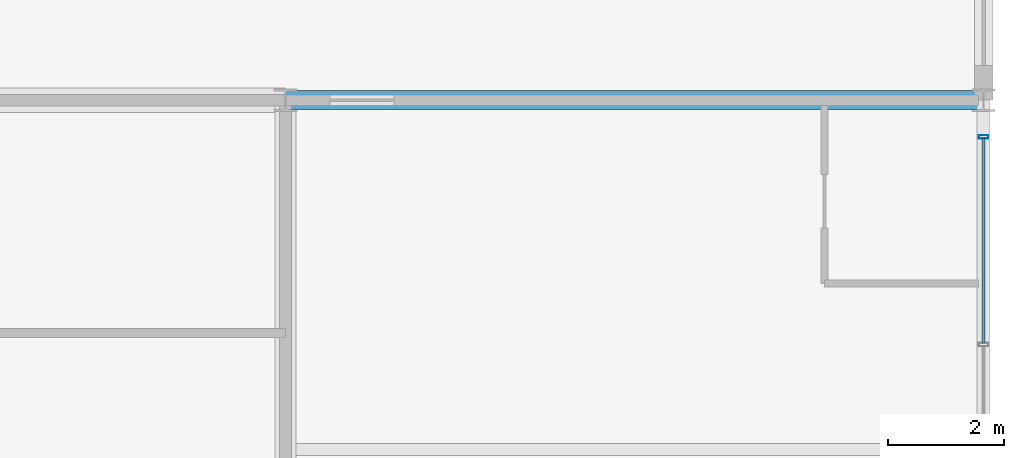
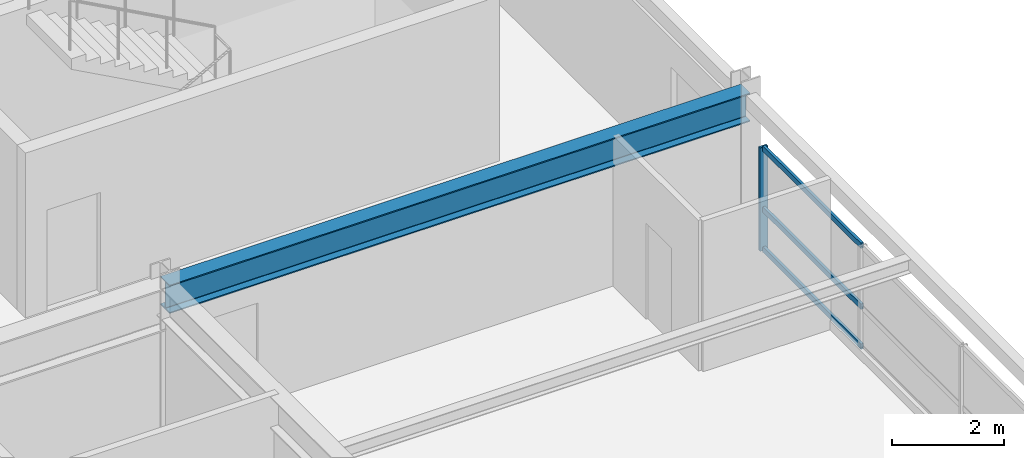
# One storey, part 11 of 22: 4 members, 1 beam, 1 element without a shape of its own.
"""IFC4 building model written with IfcOpenShell, lengths in metres."""

from ifc_helpers import new_model, si_unit, direction, frame, origin, origin_2d, place, context, subcontext, project, spatial, hollow_rectangle, i_section, extrude, material, material_profile, profile_set, type_object, element, aggregate, save


model = new_model("IFC4")

# Units and contexts
model_context = context("Model", 3, precision=1e-05, world=origin(), true_north=direction((0.0, 1.0)))
body_context = subcontext(model_context, "Body", "Model", "MODEL_VIEW")
ifc_project = project(units=[si_unit("LENGTHUNIT", "METRE"), si_unit("AREAUNIT", "SQUARE_METRE"), si_unit("VOLUMEUNIT", "CUBIC_METRE"), si_unit("PLANEANGLEUNIT", "RADIAN"), si_unit("MASSUNIT", "GRAM", prefix="KILO")], contexts=[model_context])

# Site, building, storey
site_placement = place(None, origin())
site = spatial("IfcSite", under=ifc_project, at=site_placement, CompositionType="ELEMENT")
building_placement = place(site_placement, origin())
building = spatial("IfcBuilding", under=site, at=building_placement, Name="Kaldorvane Square Convention Centre", CompositionType="ELEMENT")
storey_placement = place(building_placement, frame((0.0, 0.0, 63.600006103515625)))
storey = spatial("IfcBuildingStorey", under=building, at=storey_placement, Name="L15", CompositionType="ELEMENT", Elevation=63.600006103515625)

# Beam
ifc_material_1 = material(Name="Steel ASTM A992 Gr. 50", Category="steel")
ifc_material_profile_1 = material_profile(ifc_material_1, i_section(OverallWidth=0.326507568359375, OverallDepth=0.621795654296875, WebThickness=0.0153961181640625, FlangeThickness=0.0243988037109375, FilletRadius=0.0126953125, at=origin_2d()), Name="W24X131")
ifc_profile_set_1 = profile_set([ifc_material_profile_1], Name="Steel ASTM A992 Gr. 50")
beam_type = type_object("IfcBeamType", Name="BM-GR-W24X131", PredefinedType="BEAM", material=ifc_profile_set_1)
beam_placement = place(storey_placement, frame((66.0, 96.0, 2.97509765625), z_axis=(1.0, 0.0, 0.0), x_axis=(0.0, 1.0, 0.0)))
element("IfcBeam", 1, at=beam_placement, inside=storey, type_object=beam_type, Name="Primary Girder (L15)", PredefinedType="BEAM", context=body_context, shape_type="SweptSolid", body=[
    extrude(i_section(OverallWidth=0.326507568359375, OverallDepth=0.621795654296875, WebThickness=0.0153961181640625, FlangeThickness=0.0243988037109375, FilletRadius=0.0126953125, at=origin_2d()), origin(), (0.0, 0.0, 1.0), 12.0),
])

# Curtain wall, members
ifc_material_2 = material(Name="Anodized Aluminum and Low-E Insulated Glazing", Category="aluminium")
curtain_wall_type = type_object("IfcCurtainWallType", Name="CW-UNI-HTL-A", PredefinedType="USERDEFINED", material=ifc_material_2)
curtain_wall_placement = place(storey_placement, origin())
curtain_wall = element("IfcCurtainWall", 2, at=curtain_wall_placement, inside=storey, type_object=curtain_wall_type, Name="Curtain Wall CW-10 (L15)", ObjectType="UNITISED GLAZING", PredefinedType="USERDEFINED")
ifc_material_profile_2 = material_profile(ifc_material_2, hollow_rectangle(XDim=0.05999755859375, YDim=0.160003662109375, WallThickness=0.003204345703125, at=origin_2d()), Name="CWM-160X60")
ifc_profile_set_2 = profile_set([ifc_material_profile_2], Name="Anodized Aluminum and Low-E Insulated Glazing")
member_type_1 = type_object("IfcMemberType", Name="CW-MUL-160", PredefinedType="MULLION", material=ifc_profile_set_2)
member_1_placement = place(storey_placement, frame((78.0, 95.3699951171875, 0.149993896484375), z_axis=(0.0, 0.0, 1.0), x_axis=(0.0, 1.0, 0.0)))
member_1 = element("IfcMember", 3, at=member_1_placement, type_object=member_type_1, Name="CW-10 mullion 4", PredefinedType="MULLION", context=body_context, shape_type="SweptSolid", body=[
    extrude(hollow_rectangle(XDim=0.05999755859375, YDim=0.160003662109375, WallThickness=0.003204345703125, at=origin_2d()), origin(), (0.0, 0.0, 1.0), 2.2599945068359375),
])
ifc_material_profile_3 = material_profile(ifc_material_2, hollow_rectangle(XDim=0.05499267578125, YDim=0.1199951171875, WallThickness=0.0030059814453125, at=origin_2d()), Name="CWT-120X55")
ifc_profile_set_3 = profile_set([ifc_material_profile_3], Name="Anodized Aluminum and Low-E Insulated Glazing")
member_type_2 = type_object("IfcMemberType", Name="CW-TRN-120", PredefinedType="USERDEFINED", material=ifc_profile_set_3)
member_2_placement = place(storey_placement, frame((78.0, 91.83000183105469, 0.177490234375), z_axis=(0.0, 1.0, 0.0), x_axis=(-1.0, 0.0, 0.0)))
member_2 = element("IfcMember", 4, at=member_2_placement, type_object=member_type_2, Name="CW-10 transom 3.1", ObjectType="TRANSOM", PredefinedType="USERDEFINED", context=body_context, shape_type="SweptSolid", body=[
    extrude(hollow_rectangle(XDim=0.05499267578125, YDim=0.1199951171875, WallThickness=0.0030059814453125, at=origin_2d()), origin(), (0.0, 0.0, 1.0), 3.5099945068359375),
])
member_3_placement = place(storey_placement, frame((78.0, 91.83000183105469, 1.04998779296875), z_axis=(0.0, 1.0, 0.0), x_axis=(-1.0, 0.0, 0.0)))
member_3 = element("IfcMember", 5, at=member_3_placement, type_object=member_type_2, Name="CW-10 transom 3.2", ObjectType="TRANSOM", PredefinedType="USERDEFINED", context=body_context, shape_type="SweptSolid", body=[
    extrude(hollow_rectangle(XDim=0.05499267578125, YDim=0.1199951171875, WallThickness=0.0030059814453125, at=origin_2d()), origin(), (0.0, 0.0, 1.0), 3.5099945068359375),
])
member_4_placement = place(storey_placement, frame((78.0, 91.83000183105469, 2.3824920654296875), z_axis=(0.0, 1.0, 0.0), x_axis=(-1.0, 0.0, 0.0)))
member_4 = element("IfcMember", 6, at=member_4_placement, type_object=member_type_2, Name="CW-10 transom 3.3", ObjectType="TRANSOM", PredefinedType="USERDEFINED", context=body_context, shape_type="SweptSolid", body=[
    extrude(hollow_rectangle(XDim=0.05499267578125, YDim=0.1199951171875, WallThickness=0.0030059814453125, at=origin_2d()), origin(), (0.0, 0.0, 1.0), 3.5099945068359375),
])
aggregate(curtain_wall, [member_1, member_2, member_3, member_4])

save(model, "model.ifc")
